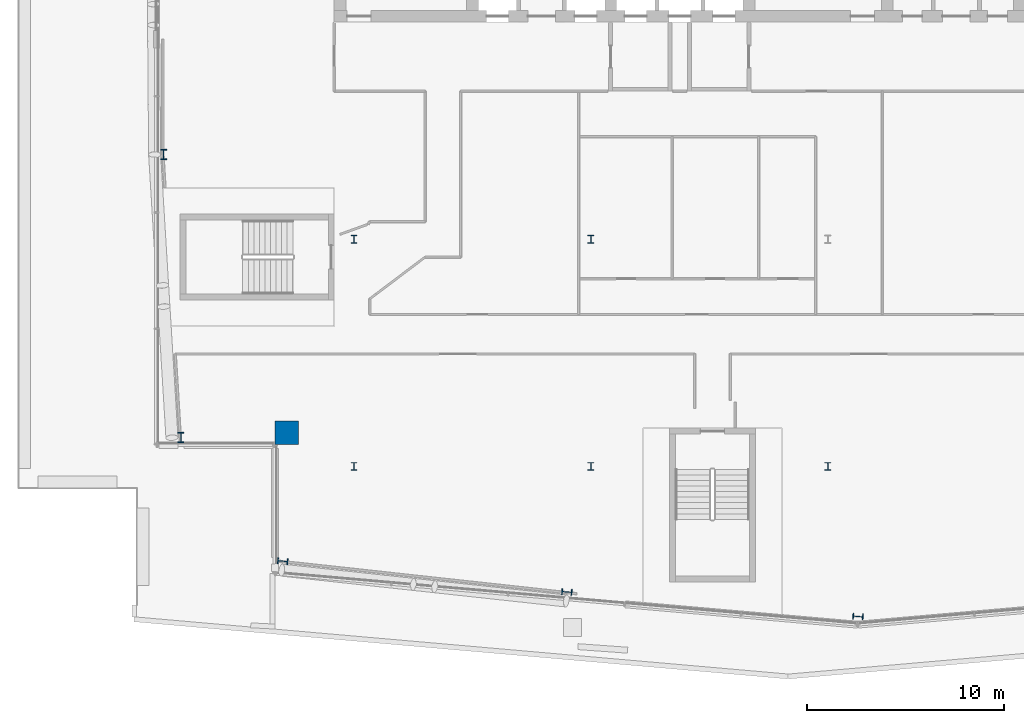
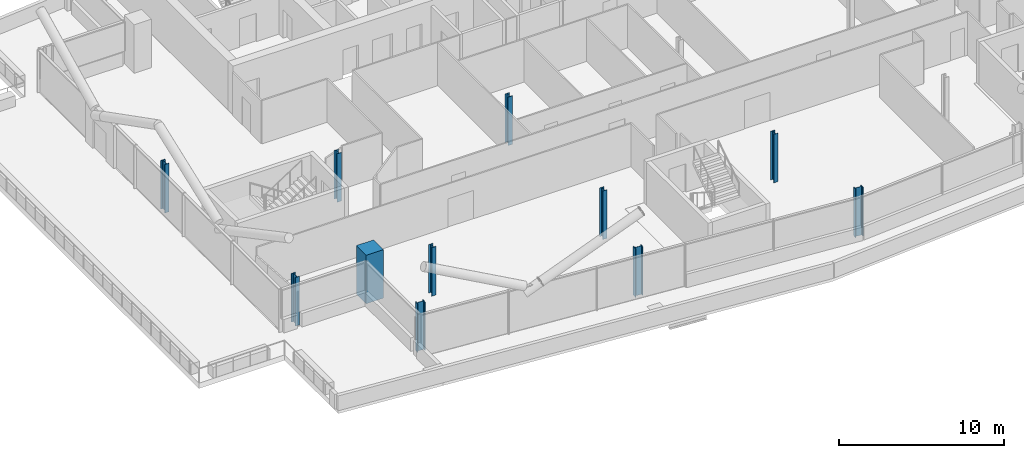
# One storey, part 1 of 27: 11 columns.
"""IFC4 building model written with IfcOpenShell, lengths in metres."""

from ifc_helpers import new_model, si_unit, direction, frame, origin, origin_2d, place, context, subcontext, project, spatial, rectangle, i_section, extrude, material, material_profile, profile_set, type_object, element, save


model = new_model("IFC4")

# Units and contexts
model_context = context("Model", 3, precision=1e-05, world=origin(), true_north=direction((0.0, 1.0)))
body_context = subcontext(model_context, "Body", "Model", "MODEL_VIEW")
ifc_project = project(units=[si_unit("LENGTHUNIT", "METRE"), si_unit("AREAUNIT", "SQUARE_METRE"), si_unit("VOLUMEUNIT", "CUBIC_METRE"), si_unit("PLANEANGLEUNIT", "RADIAN"), si_unit("MASSUNIT", "GRAM", prefix="KILO")], contexts=[model_context])

# Site, building, storey
site_placement = place(None, origin())
site = spatial("IfcSite", under=ifc_project, at=site_placement, CompositionType="ELEMENT")
building_placement = place(site_placement, origin())
building = spatial("IfcBuilding", under=site, at=building_placement, Name="Wharfspan Tower", CompositionType="ELEMENT")
storey_placement = place(building_placement, frame((0.0, 0.0, 207.100098)))
storey = spatial("IfcBuildingStorey", under=building, at=storey_placement, Name="L51", CompositionType="ELEMENT", Elevation=207.100098)

# Columns
ifc_material_1 = material(Name="Steel S355J2", Category="steel")
ifc_material_profile_1 = material_profile(ifc_material_1, i_section(OverallWidth=0.300049, OverallDepth=0.399902, WebThickness=0.013428, FlangeThickness=0.023926, FilletRadius=0.0271, at=origin_2d()))
ifc_profile_set_1 = profile_set([ifc_material_profile_1], Name="Steel S355J2")
column_type_1 = type_object("IfcColumnType", Name="Column HEB 400", PredefinedType="COLUMN", material=ifc_profile_set_1)
for number, where, z_axis, x_axis, name in (
    (1, (24.0, 11.5, 0.0), (0.0, 0.0, 1.0), (1.0, 0.0, 0.0), "Interior column I.1.1 L51"),
    (2, (36.0, 11.5, 0.0), (0.0, 0.0, 1.0), (1.0, 0.0, 0.0), "Interior column I.1.2 L51"),
    (3, (48.0, 11.5, 0.0), (0.0, 0.0, 1.0), (1.0, 0.0, 0.0), "Interior column I.1.3 L51"),
    (4, (24.0, 23.0, 0.0), (0.0, 0.0, 1.0), (1.0, 0.0, 0.0), "Interior column I.2.1 L51"),
    (5, (36.0, 23.0, 0.0), (0.0, 0.0, 1.0), (1.0, 0.0, 0.0), "Interior column I.2.2 L51"),
):
    element("IfcColumn", number, at=place(storey_placement, frame(where, z_axis=z_axis, x_axis=x_axis)), inside=storey, type_object=column_type_1, Name=name, PredefinedType="COLUMN", context=body_context, shape_type="SweptSolid", body=[
        extrude(i_section(OverallWidth=0.300049, OverallDepth=0.399902, WebThickness=0.013428, FlangeThickness=0.023926, FilletRadius=0.0271, at=origin_2d()), origin(), (0.0, 0.0, 1.0), 3.599854),
    ])
ifc_material_profile_2 = material_profile(ifc_material_1, i_section(OverallWidth=0.305908, OverallDepth=0.523926, WebThickness=0.020996, FlangeThickness=0.040039, FilletRadius=0.0271, at=origin_2d()))
ifc_profile_set_2 = profile_set([ifc_material_profile_2], Name="Steel S355J2")
column_type_2 = type_object("IfcColumnType", Name="Column HEM 500", PredefinedType="COLUMN", material=ifc_profile_set_2)
for number, where, z_axis, x_axis, name in (
    (6, (20.392334, 6.702637, 0.0), (0.0, 0.0, 1.0), (-0.087156, -0.996197, 0.0), "Perimeter column PS1.1 L51"),
    (7, (34.781494, 5.143311, 0.0), (0.0, 0.0, 1.0), (-0.087156, -0.996197, 0.0), "Perimeter column PS1.2 L51"),
    (8, (49.522949, 3.9021, 0.0), (0.0, 0.0, 1.0), (-0.087156, -0.996197, 0.0), "Perimeter column PS1.3 L51"),
    (9, (14.360107, 27.300049, 0.0), (0.0, 0.0, 1.0), (-1.0, 0.0, 0.0), "Perimeter column PW.1 L51"),
    (10, (15.237793, 12.963379, 0.0), (0.0, 0.0, 1.0), (-1.0, 0.0, 0.0), "Perimeter column PW.2 L51"),
):
    element("IfcColumn", number, at=place(storey_placement, frame(where, z_axis=z_axis, x_axis=x_axis)), inside=storey, type_object=column_type_2, Name=name, PredefinedType="COLUMN", context=body_context, shape_type="SweptSolid", body=[
        extrude(i_section(OverallWidth=0.305908, OverallDepth=0.523926, WebThickness=0.020996, FlangeThickness=0.040039, FilletRadius=0.0271, at=origin_2d()), origin(), (0.0, 0.0, 1.0), 3.599854),
    ])
ifc_material_2 = material(Name="Concrete C50/60", Category="concrete")
ifc_material_profile_3 = material_profile(ifc_material_2, rectangle(XDim=1.199951, YDim=1.199951, at=origin_2d()))
ifc_profile_set_3 = profile_set([ifc_material_profile_3], Name="Concrete C50/60")
column_type_3 = type_object("IfcColumnType", Name="Mega column 1200 C50/60", PredefinedType="COLUMN", material=ifc_profile_set_3)
column_placement = place(storey_placement, frame((20.600098, 13.199951, 0.0), z_axis=(0.0, 0.0, 1.0), x_axis=(1.0, 0.0, 0.0)))
element("IfcColumn", 11, at=column_placement, inside=storey, type_object=column_type_3, Name="Mega column MC1 L51", PredefinedType="COLUMN", context=body_context, shape_type="SweptSolid", body=[
    extrude(rectangle(XDim=1.199951, YDim=1.199951, at=origin_2d()), origin(), (0.0, 0.0, 1.0), 3.599854),
])

save(model, "model.ifc")
